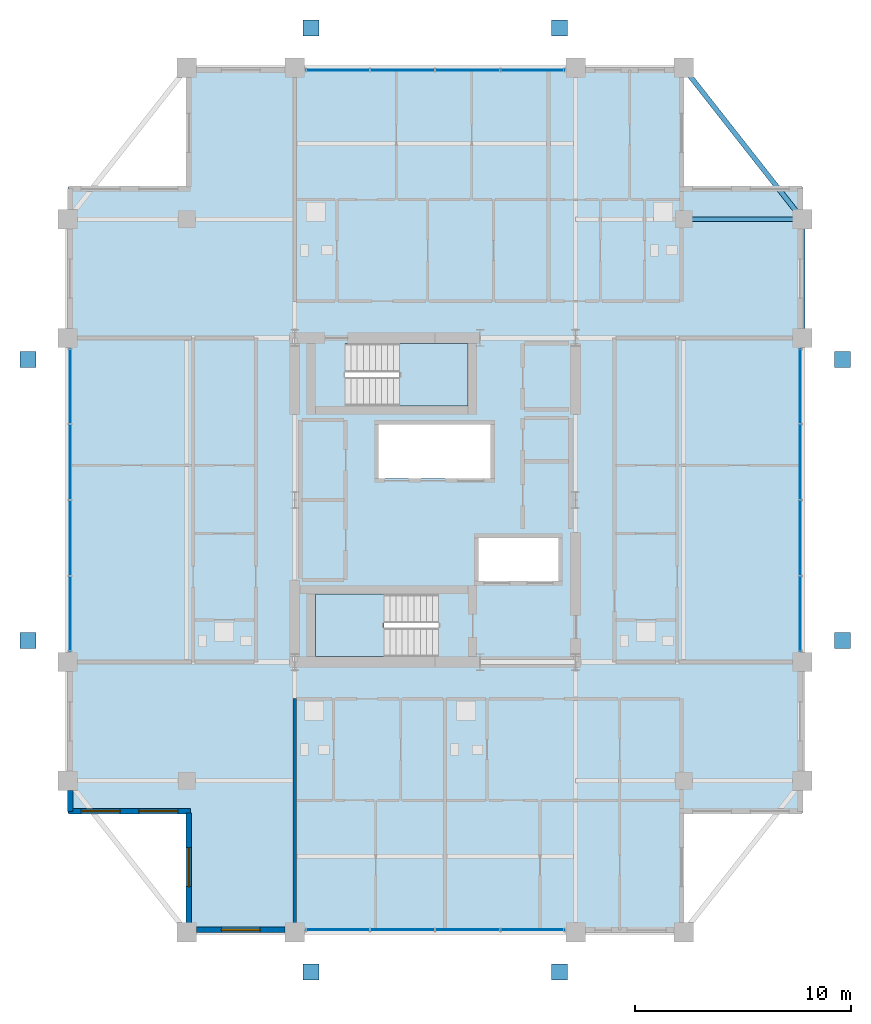
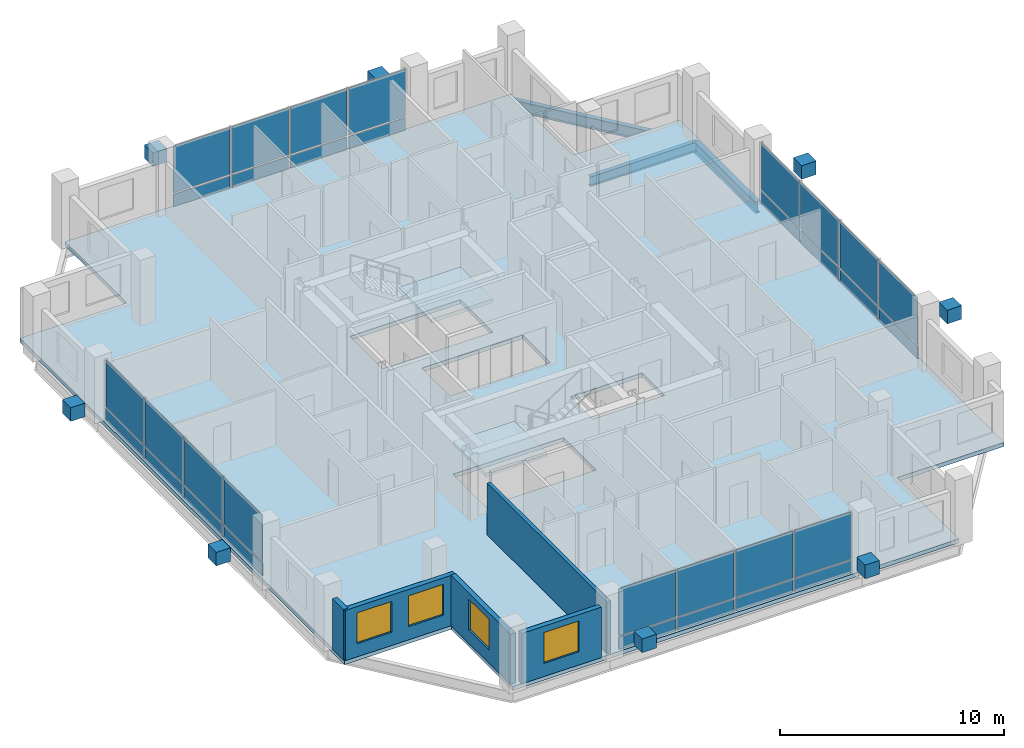
# One storey, part 15 of 22: 40 plates, 5 walls, 4 windows, 3 beams, 3 slabs, 4 openings, 6 elements without a shape of their own.
"""IFC4 building model written with IfcOpenShell, lengths in metres."""

from ifc_helpers import new_model, si_unit, direction, frame, frame_2d, origin, origin_2d, place, context, subcontext, project, spatial, polyline, rectangle, i_section, outline, extrude, material, layer, layer_set, material_profile, profile_set, type_object, element, fill, aggregate, save


model = new_model("IFC4")

# Units and contexts
model_context = context("Model", 3, precision=1e-05, world=origin(), true_north=direction((0.0, 1.0)))
body_context = subcontext(model_context, "Body", "Model", "MODEL_VIEW")
ifc_project = project(units=[si_unit("LENGTHUNIT", "METRE"), si_unit("AREAUNIT", "SQUARE_METRE"), si_unit("VOLUMEUNIT", "CUBIC_METRE"), si_unit("PLANEANGLEUNIT", "RADIAN"), si_unit("MASSUNIT", "GRAM", prefix="KILO")], contexts=[model_context])

# Site, building, storey
site_placement = place(None, origin())
site = spatial("IfcSite", under=ifc_project, at=site_placement, CompositionType="ELEMENT")
building_placement = place(site_placement, origin())
building = spatial("IfcBuilding", under=site, at=building_placement, Name="Barlavira Tower and Art Museum", CompositionType="ELEMENT")
storey_placement = place(building_placement, frame((0.0, 0.0, 243.89990234375)))
storey = spatial("IfcBuildingStorey", under=building, at=storey_placement, Name="L63", CompositionType="ELEMENT", Elevation=243.89990234375)

# Beams
ifc_material_1 = material(Name="Steel S355", Category="steel")
ifc_material_profile_1 = material_profile(ifc_material_1, i_section(OverallWidth=0.22998046875, OverallDepth=0.616943359375, WebThickness=0.01318359375, FlangeThickness=0.022216796875, at=origin_2d()), Name="W610x140.0")
ifc_profile_set_1 = profile_set([ifc_material_profile_1], Name="Steel S355")
beam_type_1 = type_object("IfcBeamType", Name="Upper Shaft Spandrel Edge Beam W610x140 Steel S355", PredefinedType="SPANDREL", material=ifc_profile_set_1)
beam_1_placement = place(storey_placement, frame((17.0, 7.5, -0.5283203125), z_axis=(0.0, 1.0, 0.0), x_axis=(-1.0, 0.0, 0.0)))
element("IfcBeam", 1, at=beam_1_placement, inside=storey, type_object=beam_type_1, Name="L63 Spandrel 7", PredefinedType="SPANDREL", context=body_context, shape_type="SweptSolid", body=[
    extrude(i_section(OverallWidth=0.22998046875, OverallDepth=0.616943359375, WebThickness=0.01318359375, FlangeThickness=0.022216796875, at=origin_2d()), origin(), (0.0, 0.0, 1.0), 5.5),
])
beam_2_placement = place(storey_placement, frame((17.0, 13.0, -0.5283203125), z_axis=(-0.617821551932, 0.786318338822, 0.0), x_axis=(-0.786318338822, -0.617821551932, 0.0)))
element("IfcBeam", 2, at=beam_2_placement, inside=storey, type_object=beam_type_1, Name="L63 Spandrel 8", PredefinedType="SPANDREL", context=body_context, shape_type="SweptSolid", body=[
    extrude(i_section(OverallWidth=0.22998046875, OverallDepth=0.616943359375, WebThickness=0.01318359375, FlangeThickness=0.022216796875, at=origin_2d()), origin(), (0.0, 0.0, 1.0), 8.90234375),
])
ifc_material_profile_2 = material_profile(ifc_material_1, i_section(OverallWidth=0.2109375, OverallDepth=0.5390625, WebThickness=0.01171875, FlangeThickness=0.018798828125, at=origin_2d()), Name="W530x109.0")
ifc_profile_set_2 = profile_set([ifc_material_profile_2], Name="Steel S355")
beam_type_2 = type_object("IfcBeamType", Name="Zone 3-4 Primary Floor Girder W530x109 Steel S355", PredefinedType="BEAM", material=ifc_profile_set_2)
beam_3_placement = place(storey_placement, frame((11.5, 13.0, -0.489501953125), z_axis=(1.0, 0.0, 0.0), x_axis=(0.0, 1.0, 0.0)))
element("IfcBeam", 3, at=beam_3_placement, inside=storey, type_object=beam_type_2, Name="L63 Girder I-N4", PredefinedType="BEAM", context=body_context, shape_type="SweptSolid", body=[
    extrude(i_section(OverallWidth=0.2109375, OverallDepth=0.5390625, WebThickness=0.01171875, FlangeThickness=0.018798828125, at=origin_2d()), origin(), (0.0, 0.0, 1.0), 5.5),
])

# Curtain wall, plates
ifc_material_2 = material(Name="Low-iron coastal laminated glass", Category="glass")
ifc_layer_1 = layer(ifc_material_2, 0.2099609375, Name="Low-iron coastal laminated glass")
ifc_layer_set_1 = layer_set([ifc_layer_1], Name="Low-iron coastal laminated glass")
curtain_wall_type = type_object("IfcCurtainWallType", Name="Pale-Metal Unitised Curtain Wall Zone 4", PredefinedType="NOTDEFINED", material=ifc_layer_set_1)
curtain_wall_1_placement = place(storey_placement, origin())
curtain_wall_1 = element("IfcCurtainWall", 4, at=curtain_wall_1_placement, inside=storey, type_object=curtain_wall_type, Name="L63 Curtain Wall CW4-L63-S-B2", PredefinedType="NOTDEFINED")
ifc_material_3 = material(Name="Pale anodised aluminium", Category="aluminium")
ifc_layer_2 = layer(ifc_material_3, 0.044921875, Name="Pale anodised aluminium")
ifc_layer_set_2 = layer_set([ifc_layer_2], Name="Pale anodised aluminium")
plate_type_1 = type_object("IfcPlateType", Name="Curtain Wall Pale-Metal Spandrel Panel 45", PredefinedType="CURTAIN_PANEL", material=ifc_layer_set_2)
plate_1_placement = place(storey_placement, frame((-4.5224609375, -19.89990234375, 0.0400390625), z_axis=(0.0, 0.0, 1.0), x_axis=(1.0, 0.0, 0.0)))
plate_1 = element("IfcPlate", 5, at=plate_1_placement, type_object=plate_type_1, Name="CW4-L63-S-B2 Spandrel Panel 0", PredefinedType="CURTAIN_PANEL", context=body_context, shape_type="SweptSolid", body=[
    extrude(rectangle(XDim=2.9150390625, YDim=0.044921875, at=origin_2d()), origin(), (0.0, 0.0, 1.0), 0.6640625),
])
plate_2_placement = place(storey_placement, frame((-1.507568359375, -19.89990234375, 0.0400390625), z_axis=(0.0, 0.0, 1.0), x_axis=(1.0, 0.0, 0.0)))
plate_2 = element("IfcPlate", 6, at=plate_2_placement, type_object=plate_type_1, Name="CW4-L63-S-B2 Spandrel Panel 1", PredefinedType="CURTAIN_PANEL", context=body_context, shape_type="SweptSolid", body=[
    extrude(rectangle(XDim=2.9150390625, YDim=0.044921875, at=origin_2d()), origin(), (0.0, 0.0, 1.0), 0.6640625),
])
plate_3_placement = place(storey_placement, frame((1.507568359375, -19.89990234375, 0.0400390625), z_axis=(0.0, 0.0, 1.0), x_axis=(1.0, 0.0, 0.0)))
plate_3 = element("IfcPlate", 7, at=plate_3_placement, type_object=plate_type_1, Name="CW4-L63-S-B2 Spandrel Panel 2", PredefinedType="CURTAIN_PANEL", context=body_context, shape_type="SweptSolid", body=[
    extrude(rectangle(XDim=2.9150390625, YDim=0.044921875, at=origin_2d()), origin(), (0.0, 0.0, 1.0), 0.6640625),
])
plate_4_placement = place(storey_placement, frame((4.5224609375, -19.89990234375, 0.0400390625), z_axis=(0.0, 0.0, 1.0), x_axis=(1.0, 0.0, 0.0)))
plate_4 = element("IfcPlate", 8, at=plate_4_placement, type_object=plate_type_1, Name="CW4-L63-S-B2 Spandrel Panel 3", PredefinedType="CURTAIN_PANEL", context=body_context, shape_type="SweptSolid", body=[
    extrude(rectangle(XDim=2.9150390625, YDim=0.044921875, at=origin_2d()), origin(), (0.0, 0.0, 1.0), 0.6640625),
])

curtain_wall_2_placement = place(storey_placement, origin())
curtain_wall_2 = element("IfcCurtainWall", 9, at=curtain_wall_2_placement, inside=storey, type_object=curtain_wall_type, Name="L63 Curtain Wall CW4-L63-N-B2", PredefinedType="NOTDEFINED")
plate_5_placement = place(storey_placement, frame((4.5224609375, 19.89990234375, 0.0400390625), z_axis=(0.0, 0.0, 1.0), x_axis=(-1.0, 0.0, 0.0)))
plate_5 = element("IfcPlate", 10, at=plate_5_placement, type_object=plate_type_1, Name="CW4-L63-N-B2 Spandrel Panel 0", PredefinedType="CURTAIN_PANEL", context=body_context, shape_type="SweptSolid", body=[
    extrude(rectangle(XDim=2.9150390625, YDim=0.044921875, at=origin_2d()), origin(), (0.0, 0.0, 1.0), 0.6640625),
])
plate_6_placement = place(storey_placement, frame((1.507568359375, 19.89990234375, 0.0400390625), z_axis=(0.0, 0.0, 1.0), x_axis=(-1.0, 0.0, 0.0)))
plate_6 = element("IfcPlate", 11, at=plate_6_placement, type_object=plate_type_1, Name="CW4-L63-N-B2 Spandrel Panel 1", PredefinedType="CURTAIN_PANEL", context=body_context, shape_type="SweptSolid", body=[
    extrude(rectangle(XDim=2.9150390625, YDim=0.044921875, at=origin_2d()), origin(), (0.0, 0.0, 1.0), 0.6640625),
])
plate_7_placement = place(storey_placement, frame((-1.507568359375, 19.89990234375, 0.0400390625), z_axis=(0.0, 0.0, 1.0), x_axis=(-1.0, 0.0, 0.0)))
plate_7 = element("IfcPlate", 12, at=plate_7_placement, type_object=plate_type_1, Name="CW4-L63-N-B2 Spandrel Panel 2", PredefinedType="CURTAIN_PANEL", context=body_context, shape_type="SweptSolid", body=[
    extrude(rectangle(XDim=2.9150390625, YDim=0.044921875, at=origin_2d()), origin(), (0.0, 0.0, 1.0), 0.6640625),
])
plate_8_placement = place(storey_placement, frame((-4.5224609375, 19.89990234375, 0.0400390625), z_axis=(0.0, 0.0, 1.0), x_axis=(-1.0, 0.0, 0.0)))
plate_8 = element("IfcPlate", 13, at=plate_8_placement, type_object=plate_type_1, Name="CW4-L63-N-B2 Spandrel Panel 3", PredefinedType="CURTAIN_PANEL", context=body_context, shape_type="SweptSolid", body=[
    extrude(rectangle(XDim=2.9150390625, YDim=0.044921875, at=origin_2d()), origin(), (0.0, 0.0, 1.0), 0.6640625),
])

curtain_wall_3_placement = place(storey_placement, origin())
curtain_wall_3 = element("IfcCurtainWall", 14, at=curtain_wall_3_placement, inside=storey, type_object=curtain_wall_type, Name="L63 Curtain Wall CW4-L63-W-B3", PredefinedType="NOTDEFINED")
plate_9_placement = place(storey_placement, frame((-16.89990234375, 5.2724609375, 0.0400390625), z_axis=(0.0, 0.0, 1.0), x_axis=(0.0, -1.0, 0.0)))
plate_9 = element("IfcPlate", 15, at=plate_9_placement, type_object=plate_type_1, Name="CW4-L63-W-B3 Spandrel Panel 0", PredefinedType="CURTAIN_PANEL", context=body_context, shape_type="SweptSolid", body=[
    extrude(rectangle(XDim=3.4150390625, YDim=0.044921875, at=origin_2d()), origin(), (0.0, 0.0, 1.0), 0.6640625),
])
plate_10_placement = place(storey_placement, frame((-16.89990234375, 1.757568359375, 0.0400390625), z_axis=(0.0, 0.0, 1.0), x_axis=(0.0, -1.0, 0.0)))
plate_10 = element("IfcPlate", 16, at=plate_10_placement, type_object=plate_type_1, Name="CW4-L63-W-B3 Spandrel Panel 1", PredefinedType="CURTAIN_PANEL", context=body_context, shape_type="SweptSolid", body=[
    extrude(rectangle(XDim=3.4150390625, YDim=0.044921875, at=origin_2d()), origin(), (0.0, 0.0, 1.0), 0.6640625),
])
plate_11_placement = place(storey_placement, frame((-16.89990234375, -1.757568359375, 0.0400390625), z_axis=(0.0, 0.0, 1.0), x_axis=(0.0, -1.0, 0.0)))
plate_11 = element("IfcPlate", 17, at=plate_11_placement, type_object=plate_type_1, Name="CW4-L63-W-B3 Spandrel Panel 2", PredefinedType="CURTAIN_PANEL", context=body_context, shape_type="SweptSolid", body=[
    extrude(rectangle(XDim=3.4150390625, YDim=0.044921875, at=origin_2d()), origin(), (0.0, 0.0, 1.0), 0.6640625),
])
plate_12_placement = place(storey_placement, frame((-16.89990234375, -5.2724609375, 0.0400390625), z_axis=(0.0, 0.0, 1.0), x_axis=(0.0, -1.0, 0.0)))
plate_12 = element("IfcPlate", 18, at=plate_12_placement, type_object=plate_type_1, Name="CW4-L63-W-B3 Spandrel Panel 3", PredefinedType="CURTAIN_PANEL", context=body_context, shape_type="SweptSolid", body=[
    extrude(rectangle(XDim=3.4150390625, YDim=0.044921875, at=origin_2d()), origin(), (0.0, 0.0, 1.0), 0.6640625),
])

curtain_wall_4_placement = place(storey_placement, origin())
curtain_wall_4 = element("IfcCurtainWall", 19, at=curtain_wall_4_placement, inside=storey, type_object=curtain_wall_type, Name="L63 Curtain Wall CW4-L63-E-B3", PredefinedType="NOTDEFINED")
plate_13_placement = place(storey_placement, frame((16.89990234375, -5.2724609375, 0.0400390625), z_axis=(0.0, 0.0, 1.0), x_axis=(0.0, 1.0, 0.0)))
plate_13 = element("IfcPlate", 20, at=plate_13_placement, type_object=plate_type_1, Name="CW4-L63-E-B3 Spandrel Panel 0", PredefinedType="CURTAIN_PANEL", context=body_context, shape_type="SweptSolid", body=[
    extrude(rectangle(XDim=3.4150390625, YDim=0.044921875, at=origin_2d()), origin(), (0.0, 0.0, 1.0), 0.6640625),
])
plate_14_placement = place(storey_placement, frame((16.89990234375, -1.757568359375, 0.0400390625), z_axis=(0.0, 0.0, 1.0), x_axis=(0.0, 1.0, 0.0)))
plate_14 = element("IfcPlate", 21, at=plate_14_placement, type_object=plate_type_1, Name="CW4-L63-E-B3 Spandrel Panel 1", PredefinedType="CURTAIN_PANEL", context=body_context, shape_type="SweptSolid", body=[
    extrude(rectangle(XDim=3.4150390625, YDim=0.044921875, at=origin_2d()), origin(), (0.0, 0.0, 1.0), 0.6640625),
])
plate_15_placement = place(storey_placement, frame((16.89990234375, 1.757568359375, 0.0400390625), z_axis=(0.0, 0.0, 1.0), x_axis=(0.0, 1.0, 0.0)))
plate_15 = element("IfcPlate", 22, at=plate_15_placement, type_object=plate_type_1, Name="CW4-L63-E-B3 Spandrel Panel 2", PredefinedType="CURTAIN_PANEL", context=body_context, shape_type="SweptSolid", body=[
    extrude(rectangle(XDim=3.4150390625, YDim=0.044921875, at=origin_2d()), origin(), (0.0, 0.0, 1.0), 0.6640625),
])
plate_16_placement = place(storey_placement, frame((16.89990234375, 5.2724609375, 0.0400390625), z_axis=(0.0, 0.0, 1.0), x_axis=(0.0, 1.0, 0.0)))
plate_16 = element("IfcPlate", 23, at=plate_16_placement, type_object=plate_type_1, Name="CW4-L63-E-B3 Spandrel Panel 3", PredefinedType="CURTAIN_PANEL", context=body_context, shape_type="SweptSolid", body=[
    extrude(rectangle(XDim=3.4150390625, YDim=0.044921875, at=origin_2d()), origin(), (0.0, 0.0, 1.0), 0.6640625),
])

# Plate
ifc_layer_3 = layer(ifc_material_2, 0.028076171875, Name="Low-iron coastal laminated glass")
ifc_layer_set_3 = layer_set([ifc_layer_3], Name="Low-iron coastal laminated glass")
plate_type_2 = type_object("IfcPlateType", Name="Curtain Wall Vision Glazing Panel 28", PredefinedType="CURTAIN_PANEL", material=ifc_layer_set_3)
plate_17_placement = place(storey_placement, frame((-4.5224609375, -19.89990234375, 0.7841796875), z_axis=(0.0, 0.0, 1.0), x_axis=(1.0, 0.0, 0.0)))
plate_17 = element("IfcPlate", 24, at=plate_17_placement, type_object=plate_type_2, Name="CW4-L63-S-B2 Vision Glass Panel 0", PredefinedType="CURTAIN_PANEL", context=body_context, shape_type="SweptSolid", body=[
    extrude(rectangle(XDim=2.9150390625, YDim=0.028076171875, at=origin_2d()), origin(), (0.0, 0.0, 1.0), 2.555908203125),
])

plate_18_placement = place(storey_placement, frame((-1.507568359375, -19.89990234375, 0.7841796875), z_axis=(0.0, 0.0, 1.0), x_axis=(1.0, 0.0, 0.0)))
plate_18 = element("IfcPlate", 25, at=plate_18_placement, type_object=plate_type_2, Name="CW4-L63-S-B2 Vision Glass Panel 1", PredefinedType="CURTAIN_PANEL", context=body_context, shape_type="SweptSolid", body=[
    extrude(rectangle(XDim=2.9150390625, YDim=0.028076171875, at=origin_2d()), origin(), (0.0, 0.0, 1.0), 2.555908203125),
])

plate_19_placement = place(storey_placement, frame((1.507568359375, -19.89990234375, 0.7841796875), z_axis=(0.0, 0.0, 1.0), x_axis=(1.0, 0.0, 0.0)))
plate_19 = element("IfcPlate", 26, at=plate_19_placement, type_object=plate_type_2, Name="CW4-L63-S-B2 Vision Glass Panel 2", PredefinedType="CURTAIN_PANEL", context=body_context, shape_type="SweptSolid", body=[
    extrude(rectangle(XDim=2.9150390625, YDim=0.028076171875, at=origin_2d()), origin(), (0.0, 0.0, 1.0), 2.555908203125),
])

plate_20_placement = place(storey_placement, frame((4.5224609375, -19.89990234375, 0.7841796875), z_axis=(0.0, 0.0, 1.0), x_axis=(1.0, 0.0, 0.0)))
plate_20 = element("IfcPlate", 27, at=plate_20_placement, type_object=plate_type_2, Name="CW4-L63-S-B2 Vision Glass Panel 3", PredefinedType="CURTAIN_PANEL", context=body_context, shape_type="SweptSolid", body=[
    extrude(rectangle(XDim=2.9150390625, YDim=0.028076171875, at=origin_2d()), origin(), (0.0, 0.0, 1.0), 2.555908203125),
])

aggregate(curtain_wall_1, [plate_1, plate_17, plate_2, plate_18, plate_3, plate_19, plate_4, plate_20])

plate_21_placement = place(storey_placement, frame((4.5224609375, 19.89990234375, 0.7841796875), z_axis=(0.0, 0.0, 1.0), x_axis=(-1.0, 0.0, 0.0)))
plate_21 = element("IfcPlate", 28, at=plate_21_placement, type_object=plate_type_2, Name="CW4-L63-N-B2 Vision Glass Panel 0", PredefinedType="CURTAIN_PANEL", context=body_context, shape_type="SweptSolid", body=[
    extrude(rectangle(XDim=2.9150390625, YDim=0.028076171875, at=origin_2d()), origin(), (0.0, 0.0, 1.0), 2.555908203125),
])

plate_22_placement = place(storey_placement, frame((1.507568359375, 19.89990234375, 0.7841796875), z_axis=(0.0, 0.0, 1.0), x_axis=(-1.0, 0.0, 0.0)))
plate_22 = element("IfcPlate", 29, at=plate_22_placement, type_object=plate_type_2, Name="CW4-L63-N-B2 Vision Glass Panel 1", PredefinedType="CURTAIN_PANEL", context=body_context, shape_type="SweptSolid", body=[
    extrude(rectangle(XDim=2.9150390625, YDim=0.028076171875, at=origin_2d()), origin(), (0.0, 0.0, 1.0), 2.555908203125),
])

plate_23_placement = place(storey_placement, frame((-1.507568359375, 19.89990234375, 0.7841796875), z_axis=(0.0, 0.0, 1.0), x_axis=(-1.0, 0.0, 0.0)))
plate_23 = element("IfcPlate", 30, at=plate_23_placement, type_object=plate_type_2, Name="CW4-L63-N-B2 Vision Glass Panel 2", PredefinedType="CURTAIN_PANEL", context=body_context, shape_type="SweptSolid", body=[
    extrude(rectangle(XDim=2.9150390625, YDim=0.028076171875, at=origin_2d()), origin(), (0.0, 0.0, 1.0), 2.555908203125),
])

plate_24_placement = place(storey_placement, frame((-4.5224609375, 19.89990234375, 0.7841796875), z_axis=(0.0, 0.0, 1.0), x_axis=(-1.0, 0.0, 0.0)))
plate_24 = element("IfcPlate", 31, at=plate_24_placement, type_object=plate_type_2, Name="CW4-L63-N-B2 Vision Glass Panel 3", PredefinedType="CURTAIN_PANEL", context=body_context, shape_type="SweptSolid", body=[
    extrude(rectangle(XDim=2.9150390625, YDim=0.028076171875, at=origin_2d()), origin(), (0.0, 0.0, 1.0), 2.555908203125),
])

aggregate(curtain_wall_2, [plate_5, plate_21, plate_6, plate_22, plate_7, plate_23, plate_8, plate_24])

plate_25_placement = place(storey_placement, frame((-16.89990234375, 5.2724609375, 0.7841796875), z_axis=(0.0, 0.0, 1.0), x_axis=(0.0, -1.0, 0.0)))
plate_25 = element("IfcPlate", 32, at=plate_25_placement, type_object=plate_type_2, Name="CW4-L63-W-B3 Vision Glass Panel 0", PredefinedType="CURTAIN_PANEL", context=body_context, shape_type="SweptSolid", body=[
    extrude(rectangle(XDim=3.4150390625, YDim=0.028076171875, at=origin_2d()), origin(), (0.0, 0.0, 1.0), 2.555908203125),
])

plate_26_placement = place(storey_placement, frame((-16.89990234375, 1.757568359375, 0.7841796875), z_axis=(0.0, 0.0, 1.0), x_axis=(0.0, -1.0, 0.0)))
plate_26 = element("IfcPlate", 33, at=plate_26_placement, type_object=plate_type_2, Name="CW4-L63-W-B3 Vision Glass Panel 1", PredefinedType="CURTAIN_PANEL", context=body_context, shape_type="SweptSolid", body=[
    extrude(rectangle(XDim=3.4150390625, YDim=0.028076171875, at=origin_2d()), origin(), (0.0, 0.0, 1.0), 2.555908203125),
])

plate_27_placement = place(storey_placement, frame((-16.89990234375, -1.757568359375, 0.7841796875), z_axis=(0.0, 0.0, 1.0), x_axis=(0.0, -1.0, 0.0)))
plate_27 = element("IfcPlate", 34, at=plate_27_placement, type_object=plate_type_2, Name="CW4-L63-W-B3 Vision Glass Panel 2", PredefinedType="CURTAIN_PANEL", context=body_context, shape_type="SweptSolid", body=[
    extrude(rectangle(XDim=3.4150390625, YDim=0.028076171875, at=origin_2d()), origin(), (0.0, 0.0, 1.0), 2.555908203125),
])

plate_28_placement = place(storey_placement, frame((-16.89990234375, -5.2724609375, 0.7841796875), z_axis=(0.0, 0.0, 1.0), x_axis=(0.0, -1.0, 0.0)))
plate_28 = element("IfcPlate", 35, at=plate_28_placement, type_object=plate_type_2, Name="CW4-L63-W-B3 Vision Glass Panel 3", PredefinedType="CURTAIN_PANEL", context=body_context, shape_type="SweptSolid", body=[
    extrude(rectangle(XDim=3.4150390625, YDim=0.028076171875, at=origin_2d()), origin(), (0.0, 0.0, 1.0), 2.555908203125),
])

aggregate(curtain_wall_3, [plate_9, plate_25, plate_10, plate_26, plate_11, plate_27, plate_12, plate_28])

plate_29_placement = place(storey_placement, frame((16.89990234375, -5.2724609375, 0.7841796875), z_axis=(0.0, 0.0, 1.0), x_axis=(0.0, 1.0, 0.0)))
plate_29 = element("IfcPlate", 36, at=plate_29_placement, type_object=plate_type_2, Name="CW4-L63-E-B3 Vision Glass Panel 0", PredefinedType="CURTAIN_PANEL", context=body_context, shape_type="SweptSolid", body=[
    extrude(rectangle(XDim=3.4150390625, YDim=0.028076171875, at=origin_2d()), origin(), (0.0, 0.0, 1.0), 2.555908203125),
])

plate_30_placement = place(storey_placement, frame((16.89990234375, -1.757568359375, 0.7841796875), z_axis=(0.0, 0.0, 1.0), x_axis=(0.0, 1.0, 0.0)))
plate_30 = element("IfcPlate", 37, at=plate_30_placement, type_object=plate_type_2, Name="CW4-L63-E-B3 Vision Glass Panel 1", PredefinedType="CURTAIN_PANEL", context=body_context, shape_type="SweptSolid", body=[
    extrude(rectangle(XDim=3.4150390625, YDim=0.028076171875, at=origin_2d()), origin(), (0.0, 0.0, 1.0), 2.555908203125),
])

plate_31_placement = place(storey_placement, frame((16.89990234375, 1.757568359375, 0.7841796875), z_axis=(0.0, 0.0, 1.0), x_axis=(0.0, 1.0, 0.0)))
plate_31 = element("IfcPlate", 38, at=plate_31_placement, type_object=plate_type_2, Name="CW4-L63-E-B3 Vision Glass Panel 2", PredefinedType="CURTAIN_PANEL", context=body_context, shape_type="SweptSolid", body=[
    extrude(rectangle(XDim=3.4150390625, YDim=0.028076171875, at=origin_2d()), origin(), (0.0, 0.0, 1.0), 2.555908203125),
])

plate_32_placement = place(storey_placement, frame((16.89990234375, 5.2724609375, 0.7841796875), z_axis=(0.0, 0.0, 1.0), x_axis=(0.0, 1.0, 0.0)))
plate_32 = element("IfcPlate", 39, at=plate_32_placement, type_object=plate_type_2, Name="CW4-L63-E-B3 Vision Glass Panel 3", PredefinedType="CURTAIN_PANEL", context=body_context, shape_type="SweptSolid", body=[
    extrude(rectangle(XDim=3.4150390625, YDim=0.028076171875, at=origin_2d()), origin(), (0.0, 0.0, 1.0), 2.555908203125),
])

aggregate(curtain_wall_4, [plate_13, plate_29, plate_14, plate_30, plate_15, plate_31, plate_16, plate_32])

# Plates
ifc_layer_4 = layer(ifc_material_1, 0.739990234375, Name="Steel S355")
ifc_layer_set_4 = layer_set([ifc_layer_4], Name="Steel S355")
plate_type_3 = type_object("IfcPlateType", Name="Exoskeleton Solid Steel Node Cap Plate Assembly Type 4 Steel S355", PredefinedType="USERDEFINED", material=ifc_layer_set_4)
for number, where, z_axis, x_axis, name in (
    (40, (-5.75, -21.85009765625, 1.31005859375), (0.0, 0.0, 1.0), (1.0, 0.0, 0.0), "Exoskeleton Diamond Node S1 ND-L63-0704"),
    (41, (5.75, -21.85009765625, 1.31005859375), (0.0, 0.0, 1.0), (1.0, 0.0, 0.0), "Exoskeleton Diamond Node S2 ND-L63-0705"),
    (42, (-5.75, 21.85009765625, 1.31005859375), (0.0, 0.0, 1.0), (1.0, 0.0, 0.0), "Exoskeleton Diamond Node N1 ND-L63-0712"),
    (43, (5.75, 21.85009765625, 1.31005859375), (0.0, 0.0, 1.0), (1.0, 0.0, 0.0), "Exoskeleton Diamond Node N2 ND-L63-0713"),
    (44, (-18.85009765625, -6.5, 1.31005859375), (0.0, 0.0, 1.0), (1.0, 0.0, 0.0), "Exoskeleton Diamond Node W1 ND-L63-0720"),
    (45, (-18.85009765625, 6.5, 1.31005859375), (0.0, 0.0, 1.0), (1.0, 0.0, 0.0), "Exoskeleton Diamond Node W2 ND-L63-0721"),
    (46, (18.85009765625, -6.5, 1.31005859375), (0.0, 0.0, 1.0), (1.0, 0.0, 0.0), "Exoskeleton Diamond Node E1 ND-L63-0728"),
    (47, (18.85009765625, 6.5, 1.31005859375), (0.0, 0.0, 1.0), (1.0, 0.0, 0.0), "Exoskeleton Diamond Node E2 ND-L63-0729"),
):
    element("IfcPlate", number, at=place(storey_placement, frame(where, z_axis=z_axis, x_axis=x_axis)), inside=storey, type_object=plate_type_3, Name=name, ObjectType="FLANGE_PLATE", PredefinedType="USERDEFINED", context=body_context, shape_type="SweptSolid", body=[
        extrude(rectangle(XDim=0.739990234375, YDim=0.739990234375, at=origin_2d()), origin(), (0.0, 0.0, 1.0), 0.739990234375),
    ])

# Stair, slab
ifc_material_4 = material(Name="Concrete C45", Category="concrete")
stair_type_1 = type_object("IfcStairType", Name="Tower North Dog-Leg Exit Stair Assembly Concrete C45", PredefinedType="TWO_QUARTER_TURN_STAIR", material=ifc_material_4)
stair_1_placement = place(storey_placement, origin())
stair_1 = element("IfcStair", 48, at=stair_1_placement, inside=storey, type_object=stair_type_1, Name="L63 Tower North Exit Stair ST-T2", PredefinedType="TWO_QUARTER_TURN_STAIR")
ifc_layer_5 = layer(ifc_material_4, 0.199951171875, Name="Concrete C45")
ifc_layer_set_5 = layer_set([ifc_layer_5], Name="Concrete C45")
slab_type_1 = type_object("IfcSlabType", Name="Tower North Dog-Leg Exit Stair Half-Landing Slab 200 Concrete C45", PredefinedType="LANDING", material=ifc_layer_set_5)
slab_1_placement = place(storey_placement, frame((0.0, 0.0, 1.60009765625)))
slab_1 = element("IfcSlab", 49, at=slab_1_placement, type_object=slab_type_1, Name="ST-T2 landing 1", PredefinedType="LANDING", context=body_context, shape_type="SweptSolid", body=[
    extrude(outline(polyline([(-1.64990234375, 4.35009765625), (1.530029296875, 4.35009765625), (1.530029296875, 7.25), (-1.64990234375, 7.25), (-1.64990234375, 4.35009765625)])), origin(), (0.0, 0.0, 1.0), 0.199951171875),
])
aggregate(stair_1, [slab_1])

stair_type_2 = type_object("IfcStairType", Name="Tower South Dog-Leg Exit Stair Assembly Concrete C45", PredefinedType="TWO_QUARTER_TURN_STAIR", material=ifc_material_4)
stair_2_placement = place(storey_placement, origin())
stair_2 = element("IfcStair", 50, at=stair_2_placement, inside=storey, type_object=stair_type_2, Name="L63 Tower South Exit Stair ST-T1", PredefinedType="TWO_QUARTER_TURN_STAIR")
ifc_layer_6 = layer(ifc_material_4, 0.199951171875, Name="Concrete C45")
ifc_layer_set_6 = layer_set([ifc_layer_6], Name="Concrete C45")
slab_type_2 = type_object("IfcSlabType", Name="Tower South Dog-Leg Exit Stair Half-Landing Slab 200 Concrete C45", PredefinedType="LANDING", material=ifc_layer_set_6)
slab_2_placement = place(storey_placement, frame((0.0, 0.0, 1.60009765625)))
slab_2 = element("IfcSlab", 51, at=slab_2_placement, type_object=slab_type_2, Name="ST-T1 landing 1", PredefinedType="LANDING", context=body_context, shape_type="SweptSolid", body=[
    extrude(outline(polyline([(-2.3701171875, -4.35009765625), (-5.550048828125, -4.35009765625), (-5.550048828125, -7.25), (-2.3701171875, -7.25), (-2.3701171875, -4.35009765625)])), origin(), (0.0, 0.0, 1.0), 0.199951171875),
])
aggregate(stair_2, [slab_2])

# Slab
ifc_material_5 = material(Name="Concrete C50", Category="concrete")
ifc_layer_7 = layer(ifc_material_5, 0.18994140625, Name="Concrete C50")
ifc_layer_set_7 = layer_set([ifc_layer_7], Name="Concrete C50")
slab_type_3 = type_object("IfcSlabType", Name="Zone 4 Residential Composite Slab 190 Concrete C50", PredefinedType="FLOOR", material=ifc_layer_set_7)
slab_3_placement = place(storey_placement, frame((0.0, 0.0, -0.219970703125)))
element("IfcSlab", 52, at=slab_3_placement, inside=storey, type_object=slab_type_3, Name="L63 Tower Floor Slab", PredefinedType="FLOOR", context=body_context, shape_type="SweptSolid", body=[
    extrude(outline(polyline([(-11.5, -20.0), (11.5, -20.0), (11.5, -14.5), (17.0, -14.5), (17.0, 14.5), (11.5, 14.5), (11.5, 20.0), (-11.5, 20.0), (-11.5, 14.5), (-17.0, 14.5), (-17.0, -14.5), (-11.5, -14.5), (-11.5, -20.0)]), holes=[polyline([(0.14990234375, -4.35009765625), (-5.550048828125, -4.35009765625), (-5.550048828125, -7.25), (0.14990234375, -7.25), (0.14990234375, -4.35009765625)]), polyline([(-4.169921875, 4.35009765625), (1.530029296875, 4.35009765625), (1.530029296875, 7.25), (-4.169921875, 7.25), (-4.169921875, 4.35009765625)]), polyline([(-2.6201171875, 1.0), (2.56005859375, 1.0), (2.56005859375, 3.5), (-2.6201171875, 3.5), (-2.6201171875, 1.0)]), polyline([(2.0, -3.75), (5.699951171875, -3.75), (5.699951171875, -1.75), (2.0, -1.75), (2.0, -3.75)])]), origin(), (0.0, 0.0, 1.0), 0.219970703125),
])

# Wall
ifc_material_6 = material(Name="Gypsum acoustic stud partition", Category="gypsum")
ifc_layer_8 = layer(ifc_material_6, 0.179931640625, Name="Gypsum acoustic stud partition")
ifc_layer_set_8 = layer_set([ifc_layer_8], Name="Gypsum acoustic stud partition")
wall_type_1 = type_object("IfcWallType", Name="Inter-Tenancy Party Partition Wall 180", PredefinedType="PARTITIONING", material=ifc_layer_set_8)
wall_1_placement = place(storey_placement, frame((-6.5, -19.89990234375, 0.0), z_axis=(0.0, 0.0, 1.0), x_axis=(0.0, 1.0, 0.0)))
element("IfcWall", 53, at=wall_1_placement, inside=storey, type_object=wall_type_1, Name="L63 Partition Wall 3", PredefinedType="PARTITIONING", context=body_context, shape_type="SweptSolid", body=[
    extrude(rectangle(XDim=10.699951171875, YDim=0.179931640625, at=frame_2d((5.35009765625, 0.0))), origin(), (0.0, 0.0, 1.0), 2.826171875),
])

# Wall, opening, window
ifc_material_7 = material(Name="Precast concrete C40", Category="concrete")
ifc_layer_9 = layer(ifc_material_7, 0.25, Name="Precast concrete C40")
ifc_layer_set_9 = layer_set([ifc_layer_9], Name="Precast concrete C40")
wall_type_2 = type_object("IfcWallType", Name="Notched Corner Spandrel Wall 250 Precast Concrete C40", PredefinedType="SOLIDWALL", material=ifc_layer_set_9)
wall_2_placement = place(storey_placement, frame((-11.054931640625, -19.89990234375, 0.0), z_axis=(0.0, 0.0, 1.0), x_axis=(1.0, 0.0, 0.0)))
wall_2 = element("IfcWall", 54, at=wall_2_placement, inside=storey, type_object=wall_type_2, Name="L63 Coastal Facade Pier Wall CW4-L63-S-1", PredefinedType="SOLIDWALL", context=body_context, shape_type="SweptSolid", body=[
    extrude(rectangle(XDim=4.10986328125, YDim=0.25, at=frame_2d((2.054931640625, 0.0))), origin(), (0.0, 0.0, 1.0), 2.748046875),
])
opening_1_placement = place(wall_2_placement, frame((1.155029296875, 0.0, 0.719970703125)))
opening_1 = element("IfcOpeningElement", 55, at=opening_1_placement, cuts=wall_2, Name="Opening WN-01", PredefinedType="OPENING", context=body_context, shape_type="SweptSolid", body=[
    extrude(rectangle(XDim=1.800048828125, YDim=1.679931640625, at=frame_2d((0.89990234375, 0.83984375))), frame((0.0, 0.135009765625, 0.0), z_axis=(0.0, -1.0, 0.0), x_axis=(1.0, 0.0, 0.0)), (0.0, 0.0, 1.0), 0.27001953125),
])
window_type = type_object("IfcWindowType", Name="Recessed Notch Corner Punch Window 1800x1680", PartitioningType="SINGLE_PANEL", PredefinedType="WINDOW", material=ifc_material_2)
window_1_placement = place(opening_1_placement, origin())
window_1 = element("IfcWindow", 56, at=window_1_placement, inside=storey, type_object=window_type, Name="L63 Punched Facade Window EWP-CW4-L63-S-1-1", OverallHeight=1.679931640625, OverallWidth=1.800048828125, PartitioningType="SINGLE_PANEL", PredefinedType="WINDOW", context=body_context, shape_type="SweptSolid", body=[
    extrude(rectangle(XDim=1.800048828125, YDim=1.679931640625, at=frame_2d((0.89990234375, 0.83984375))), frame((0.0, 0.030029296875, 0.0), z_axis=(0.0, -1.0, 0.0), x_axis=(1.0, 0.0, 0.0)), (0.0, 0.0, 1.0), 0.06005859375),
])
fill(opening_1, window_1)

# Wall
wall_3_placement = place(storey_placement, frame((-16.89990234375, -13.445068359375, 0.0), z_axis=(0.0, 0.0, 1.0), x_axis=(0.0, -1.0, 0.0)))
element("IfcWall", 57, at=wall_3_placement, inside=storey, type_object=wall_type_2, Name="L63 Coastal Facade Pier Wall CW4-L63-W-5", PredefinedType="SOLIDWALL", context=body_context, shape_type="SweptSolid", body=[
    extrude(rectangle(XDim=0.97998046875, YDim=0.25, at=frame_2d((0.489990234375, 0.0))), origin(), (0.0, 0.0, 1.0), 2.748046875),
])

# Wall, openings, windows
wall_4_placement = place(storey_placement, frame((-16.97998046875, -14.39990234375, 0.0), z_axis=(0.0, 0.0, 1.0), x_axis=(1.0, 0.0, 0.0)))
wall_4 = element("IfcWall", 58, at=wall_4_placement, inside=storey, type_object=wall_type_2, Name="L63 Notch Corner Wall SW1", PredefinedType="SOLIDWALL", context=body_context, shape_type="SweptSolid", body=[
    extrude(rectangle(XDim=5.659912109375, YDim=0.25, at=frame_2d((2.830078125, 0.0))), origin(), (0.0, 0.0, 1.0), 2.748046875),
])
opening_2_placement = place(wall_4_placement, frame((0.594970703125, 0.0, 0.719970703125)))
opening_2 = element("IfcOpeningElement", 59, at=opening_2_placement, cuts=wall_4, Name="Opening WN-01", PredefinedType="OPENING", context=body_context, shape_type="SweptSolid", body=[
    extrude(rectangle(XDim=1.800048828125, YDim=1.679931640625, at=frame_2d((0.89990234375, 0.83984375))), frame((0.0, 0.135009765625, 0.0), z_axis=(0.0, -1.0, 0.0), x_axis=(1.0, 0.0, 0.0)), (0.0, 0.0, 1.0), 0.27001953125),
])
opening_3_placement = place(wall_4_placement, frame((3.264892578125, 0.0, 0.719970703125)))
opening_3 = element("IfcOpeningElement", 60, at=opening_3_placement, cuts=wall_4, Name="Opening WN-01", PredefinedType="OPENING", context=body_context, shape_type="SweptSolid", body=[
    extrude(rectangle(XDim=1.800048828125, YDim=1.679931640625, at=frame_2d((0.89990234375, 0.83984375))), frame((0.0, 0.135009765625, 0.0), z_axis=(0.0, -1.0, 0.0), x_axis=(1.0, 0.0, 0.0)), (0.0, 0.0, 1.0), 0.27001953125),
])
window_2_placement = place(opening_2_placement, origin())
window_2 = element("IfcWindow", 61, at=window_2_placement, inside=storey, type_object=window_type, Name="L63 Punched Facade Window EW-NTC-L63-SW1-1", OverallHeight=1.679931640625, OverallWidth=1.800048828125, PartitioningType="SINGLE_PANEL", PredefinedType="WINDOW", context=body_context, shape_type="SweptSolid", body=[
    extrude(rectangle(XDim=1.800048828125, YDim=1.679931640625, at=frame_2d((0.89990234375, 0.83984375))), frame((0.0, 0.030029296875, 0.0), z_axis=(0.0, -1.0, 0.0), x_axis=(1.0, 0.0, 0.0)), (0.0, 0.0, 1.0), 0.06005859375),
])
fill(opening_2, window_2)
window_3_placement = place(opening_3_placement, origin())
window_3 = element("IfcWindow", 62, at=window_3_placement, inside=storey, type_object=window_type, Name="L63 Punched Facade Window EW-NTC-L63-SW1-2", OverallHeight=1.679931640625, OverallWidth=1.800048828125, PartitioningType="SINGLE_PANEL", PredefinedType="WINDOW", context=body_context, shape_type="SweptSolid", body=[
    extrude(rectangle(XDim=1.800048828125, YDim=1.679931640625, at=frame_2d((0.89990234375, 0.83984375))), frame((0.0, 0.030029296875, 0.0), z_axis=(0.0, -1.0, 0.0), x_axis=(1.0, 0.0, 0.0)), (0.0, 0.0, 1.0), 0.06005859375),
])
fill(opening_3, window_3)

# Wall, opening, window
wall_5_placement = place(storey_placement, frame((-11.39990234375, -14.47998046875, 0.0), z_axis=(0.0, 0.0, 1.0), x_axis=(0.0, -1.0, 0.0)))
wall_5 = element("IfcWall", 63, at=wall_5_placement, inside=storey, type_object=wall_type_2, Name="L63 Notch Corner Wall SW2", PredefinedType="SOLIDWALL", context=body_context, shape_type="SweptSolid", body=[
    extrude(rectangle(XDim=5.340087890625, YDim=0.25, at=frame_2d((2.669921875, 0.0))), origin(), (0.0, 0.0, 1.0), 2.748046875),
])
opening_4_placement = place(wall_5_placement, frame((1.614990234375, 0.0, 0.719970703125)))
opening_4 = element("IfcOpeningElement", 64, at=opening_4_placement, cuts=wall_5, Name="Opening WN-01", PredefinedType="OPENING", context=body_context, shape_type="SweptSolid", body=[
    extrude(rectangle(XDim=1.800048828125, YDim=1.679931640625, at=frame_2d((0.89990234375, 0.83984375))), frame((0.0, 0.135009765625, 0.0), z_axis=(0.0, -1.0, 0.0), x_axis=(1.0, 0.0, 0.0)), (0.0, 0.0, 1.0), 0.27001953125),
])
window_4_placement = place(opening_4_placement, origin())
window_4 = element("IfcWindow", 65, at=window_4_placement, inside=storey, type_object=window_type, Name="L63 Punched Facade Window EW-NTC-L63-SW2-1", OverallHeight=1.679931640625, OverallWidth=1.800048828125, PartitioningType="SINGLE_PANEL", PredefinedType="WINDOW", context=body_context, shape_type="SweptSolid", body=[
    extrude(rectangle(XDim=1.800048828125, YDim=1.679931640625, at=frame_2d((0.89990234375, 0.83984375))), frame((0.0, 0.030029296875, 0.0), z_axis=(0.0, -1.0, 0.0), x_axis=(1.0, 0.0, 0.0)), (0.0, 0.0, 1.0), 0.06005859375),
])
fill(opening_4, window_4)

save(model, "model.ifc")
